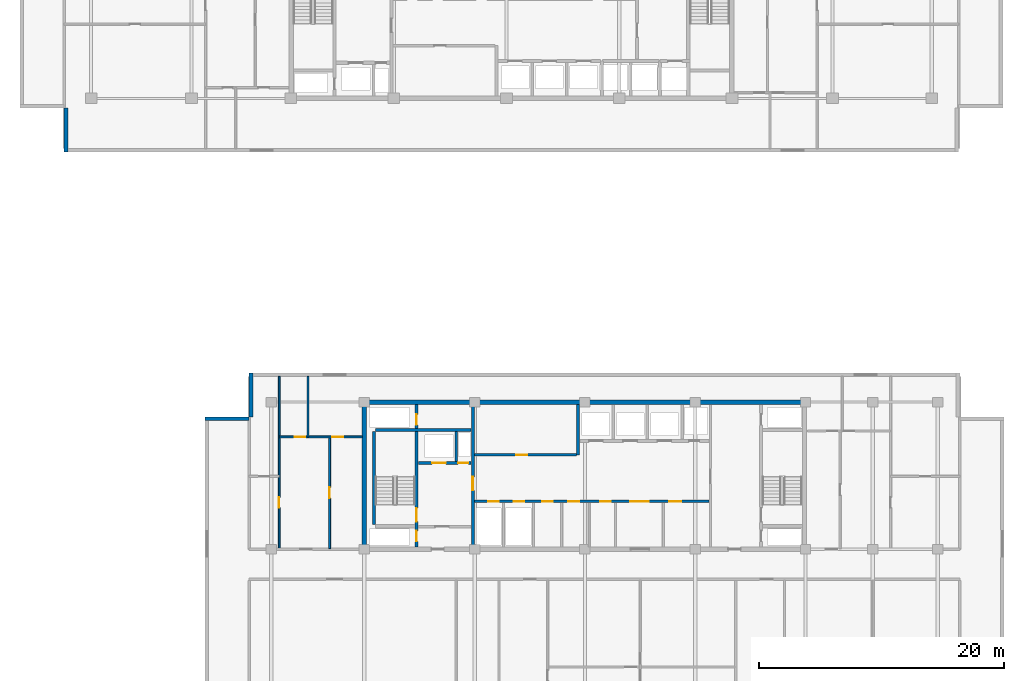
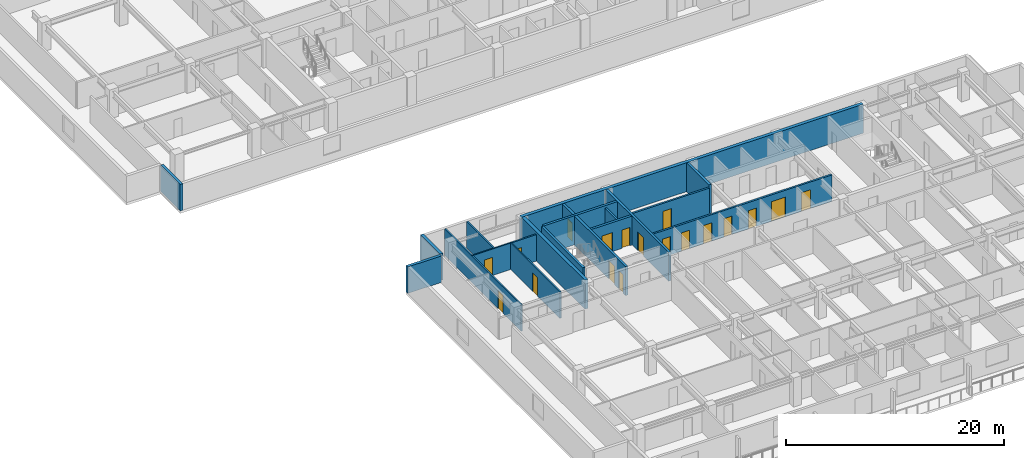
# One storey, part 6 of 21: 18 doors, 18 walls, 18 openings.
"""IFC4 building model written with IfcOpenShell, lengths in metres."""

from ifc_helpers import new_model, si_unit, direction, frame, frame_2d, origin, place, context, subcontext, project, spatial, rectangle, extrude, material, layer, layer_set, type_object, element, fill, save


model = new_model("IFC4")

# Units and contexts
model_context = context("Model", 3, precision=1e-05, world=origin(), true_north=direction((0.0, 1.0)))
body_context = subcontext(model_context, "Body", "Model", "MODEL_VIEW")
ifc_project = project(units=[si_unit("LENGTHUNIT", "METRE"), si_unit("AREAUNIT", "SQUARE_METRE"), si_unit("VOLUMEUNIT", "CUBIC_METRE"), si_unit("PLANEANGLEUNIT", "RADIAN"), si_unit("MASSUNIT", "GRAM", prefix="KILO")], contexts=[model_context])

# Site, building, storey
site_placement = place(None, origin())
site = spatial("IfcSite", under=ifc_project, at=site_placement, CompositionType="ELEMENT")
building_placement = place(site_placement, origin())
building = spatial("IfcBuilding", under=site, at=building_placement, Name="Korimba Cascade Residences", CompositionType="ELEMENT")
storey_placement = place(building_placement, frame((0.0, 0.0, 116.550048828125)))
storey = spatial("IfcBuildingStorey", under=building, at=storey_placement, Name="L33", CompositionType="ELEMENT", Elevation=116.550048828125)

# Walls
ifc_material_1 = material(Name="Precast concrete C40/50", Category="concrete")
ifc_layer_1 = layer(ifc_material_1, 0.300048828125)
ifc_layer_set_1 = layer_set([ifc_layer_1], Name="Precast concrete C40/50")
wall_type_1 = type_object("IfcWallType", Name="EW-STONE-300", PredefinedType="STANDARD", material=ifc_layer_set_1)
wall_1_placement = place(storey_placement, frame((57.75, 54.39990234375, 0.0), z_axis=(0.0, 0.0, 1.0), x_axis=(0.0, -1.0, 0.0)))
element("IfcWall", 1, at=wall_1_placement, inside=storey, type_object=wall_type_1, Name="L33 T1 Perimeter Stone Wall E11", PredefinedType="STANDARD", context=body_context, shape_type="SweptSolid", body=[
    extrude(rectangle(XDim=3.599853515625, YDim=0.300048828125, at=frame_2d((1.7998046875, 0.0))), origin(), (0.0, 0.0, 1.0), 2.969970703125),
])
wall_2_placement = place(storey_placement, frame((72.85009765625, 32.800048828125, 0.0), z_axis=(0.0, 0.0, 1.0), x_axis=(0.0, -1.0, 0.0)))
element("IfcWall", 2, at=wall_2_placement, inside=storey, type_object=wall_type_1, Name="L33 T2 Perimeter Stone Wall E07", PredefinedType="STANDARD", context=body_context, shape_type="SweptSolid", body=[
    extrude(rectangle(XDim=3.60009765625, YDim=0.300048828125, at=frame_2d((1.800048828125, 0.0))), origin(), (0.0, 0.0, 1.0), 2.969970703125),
])
wall_3_placement = place(storey_placement, frame((72.699951171875, 29.050048828125, 0.0), z_axis=(0.0, 0.0, 1.0), x_axis=(-1.0, 0.0, 0.0)))
element("IfcWall", 3, at=wall_3_placement, inside=storey, type_object=wall_type_1, Name="L33 T2 Perimeter Stone Wall E08", PredefinedType="STANDARD", context=body_context, shape_type="SweptSolid", body=[
    extrude(rectangle(XDim=3.599853515625, YDim=0.300048828125, at=frame_2d((1.7998046875, 0.0))), origin(), (0.0, 0.0, 1.0), 2.969970703125),
])
ifc_material_2 = material(Name="Concrete C65/80", Category="concrete")
ifc_layer_2 = layer(ifc_material_2, 0.35009765625)
ifc_layer_set_2 = layer_set([ifc_layer_2], Name="Concrete C65/80")
wall_type_2 = type_object("IfcWallType", Name="WAL-CORE-350", PredefinedType="SHEAR", material=ifc_layer_set_2)
wall_4_placement = place(storey_placement, frame((81.925048828125, 30.39990234375, 0.0), z_axis=(0.0, 0.0, 1.0), x_axis=(1.0, 0.0, 0.0)))
element("IfcWall", 4, at=wall_4_placement, inside=storey, type_object=wall_type_2, Name="L33 Core Shear Wall CW-L33-T2-N", PredefinedType="SHEAR", context=body_context, shape_type="SweptSolid", body=[
    extrude(rectangle(XDim=36.264892578125, YDim=0.35009765625, at=frame_2d((18.13232421875, 0.0))), origin(), (0.0, 0.0, 1.0), 3.25),
])
wall_5_placement = place(storey_placement, frame((82.10009765625, 18.574951171875, 0.0), z_axis=(0.0, 0.0, 1.0), x_axis=(0.0, 1.0, 0.0)))
element("IfcWall", 5, at=wall_5_placement, inside=storey, type_object=wall_type_2, Name="L33 Core Shear Wall CW-L33-T2-W", PredefinedType="SHEAR", context=body_context, shape_type="SweptSolid", body=[
    extrude(rectangle(XDim=11.650146484375, YDim=0.35009765625, at=frame_2d((5.8251953125, 0.0))), origin(), (0.0, 0.0, 1.0), 3.25),
])

# Wall, opening, door
ifc_material_3 = material(Name="Insulated Acoustic Stud Partition", Category="gypsum")
ifc_layer_3 = layer(ifc_material_3, 0.14990234375)
ifc_layer_set_3 = layer_set([ifc_layer_3], Name="Insulated Acoustic Stud Partition")
wall_type_3 = type_object("IfcWallType", Name="WAL-PART-150", PredefinedType="PARTITIONING", material=ifc_layer_set_3)
wall_6_placement = place(storey_placement, frame((75.14990234375, 18.449951171875, 0.0), z_axis=(0.0, 0.0, 1.0), x_axis=(0.0, 1.0, 0.0)))
wall_6 = element("IfcWall", 6, at=wall_6_placement, inside=storey, type_object=wall_type_3, Name="L33 Partition Wall WAL-L33-T2-FW-STV", PredefinedType="PARTITIONING", context=body_context, shape_type="SweptSolid", body=[
    extrude(rectangle(XDim=14.050048828125, YDim=0.14990234375, at=frame_2d((7.02490234375, 0.0))), origin(), (0.0, 0.0, 1.0), 2.969970703125),
])
opening_1_placement = place(wall_6_placement, frame((3.320068359375, 0.0, 0.0)))
opening_1 = element("IfcOpeningElement", 7, at=opening_1_placement, cuts=wall_6, Name="Opening D-IN2", PredefinedType="OPENING", context=body_context, shape_type="SweptSolid", body=[
    extrude(rectangle(XDim=0.8798828125, YDim=2.06005859375, at=frame_2d((0.43994140625, 1.030029296875))), frame((0.0, 0.0849609375, 0.0), z_axis=(0.0, -1.0, 0.0), x_axis=(1.0, 0.0, 0.0)), (0.0, 0.0, 1.0), 0.169921875),
])
ifc_material_4 = material(Name="Acoustic Timber Bedroom Door", Category="wood")
door_type_1 = type_object("IfcDoorType", Name="DR-INT-880", OperationType="NOTDEFINED", PredefinedType="DOOR", material=ifc_material_4)
door_1_placement = place(opening_1_placement, origin())
door_1 = element("IfcDoor", 8, at=door_1_placement, inside=storey, type_object=door_type_1, Name="L33-T2-FW Study Door", OperationType="SINGLE_SWING_LEFT", OverallHeight=2.06005859375, OverallWidth=0.8798828125, PredefinedType="DOOR", context=body_context, shape_type="SweptSolid", body=[
    extrude(rectangle(XDim=0.8798828125, YDim=2.06005859375, at=frame_2d((0.43994140625, 1.030029296875))), frame((0.0, 0.02490234375, 0.0), z_axis=(0.0, -1.0, 0.0), x_axis=(1.0, 0.0, 0.0)), (0.0, 0.0, 1.0), 0.050048828125),
])
fill(opening_1, door_1)

wall_7_placement = place(storey_placement, frame((79.27001953125, 18.449951171875, 0.0), z_axis=(0.0, 0.0, 1.0), x_axis=(0.0, 1.0, 0.0)))
wall_7 = element("IfcWall", 9, at=wall_7_placement, inside=storey, type_object=wall_type_3, Name="L33 Partition Wall WAL-L33-T2-FW-VS", PredefinedType="PARTITIONING", context=body_context, shape_type="SweptSolid", body=[
    extrude(rectangle(XDim=9.1201171875, YDim=0.14990234375, at=frame_2d((4.56005859375, 0.0))), origin(), (0.0, 0.0, 1.0), 2.969970703125),
])
opening_2_placement = place(wall_7_placement, frame((4.10009765625, 0.0, 0.0)))
opening_2 = element("IfcOpeningElement", 10, at=opening_2_placement, cuts=wall_7, Name="Opening D-IN1", PredefinedType="OPENING", context=body_context, shape_type="SweptSolid", body=[
    extrude(rectangle(XDim=0.919921875, YDim=2.080078125, at=frame_2d((0.4599609375, 1.0400390625))), frame((0.0, 0.0849609375, 0.0), z_axis=(0.0, -1.0, 0.0), x_axis=(1.0, 0.0, 0.0)), (0.0, 0.0, 1.0), 0.169921875),
])
ifc_material_5 = material(Name="Acoustic Timber Living Door", Category="wood")
door_type_2 = type_object("IfcDoorType", Name="DR-INT-920", OperationType="NOTDEFINED", PredefinedType="DOOR", material=ifc_material_5)
door_2_placement = place(opening_2_placement, origin())
door_2 = element("IfcDoor", 11, at=door_2_placement, inside=storey, type_object=door_type_2, Name="L33-T2-FW Living Door", OperationType="SINGLE_SWING_RIGHT", OverallHeight=2.080078125, OverallWidth=0.919921875, PredefinedType="DOOR", context=body_context, shape_type="SweptSolid", body=[
    extrude(rectangle(XDim=0.919921875, YDim=2.080078125, at=frame_2d((0.4599609375, 1.0400390625))), frame((0.0, 0.02490234375, 0.0), z_axis=(0.0, -1.0, 0.0), x_axis=(1.0, 0.0, 0.0)), (0.0, 0.0, 1.0), 0.050048828125),
])
fill(opening_2, door_2)

# Wall
wall_8_placement = place(storey_placement, frame((77.5, 27.570068359375, 0.0), z_axis=(0.0, 0.0, 1.0), x_axis=(0.0, 1.0, 0.0)))
element("IfcWall", 12, at=wall_8_placement, inside=storey, type_object=wall_type_3, Name="L33 Partition Wall WAL-L33-T2-FW-VN", PredefinedType="PARTITIONING", context=body_context, shape_type="SweptSolid", body=[
    extrude(rectangle(XDim=4.929931640625, YDim=0.14990234375, at=frame_2d((2.46484375, 0.0))), origin(), (0.0, 0.0, 1.0), 2.969970703125),
])

# Wall, openings, doors
wall_9_placement = place(storey_placement, frame((75.169921875, 27.570068359375, 0.0), z_axis=(0.0, 0.0, 1.0), x_axis=(1.0, 0.0, 0.0)))
wall_9 = element("IfcWall", 13, at=wall_9_placement, inside=storey, type_object=wall_type_3, Name="L33 Partition Wall WAL-L33-T2-FW-H", PredefinedType="PARTITIONING", context=body_context, shape_type="SweptSolid", body=[
    extrude(rectangle(XDim=6.760009765625, YDim=0.14990234375, at=frame_2d((3.3798828125, 0.0))), origin(), (0.0, 0.0, 1.0), 2.969970703125),
])
opening_3_placement = place(wall_9_placement, frame((1.266357421875, 0.0, 0.0)))
opening_3 = element("IfcOpeningElement", 14, at=opening_3_placement, cuts=wall_9, Name="Opening D-BT1", PredefinedType="OPENING", context=body_context, shape_type="SweptSolid", body=[
    extrude(rectangle(XDim=0.840087890625, YDim=2.0400390625, at=frame_2d((0.419921875, 1.02001953125))), frame((0.0, 0.0849609375, 0.0), z_axis=(0.0, -1.0, 0.0), x_axis=(1.0, 0.0, 0.0)), (0.0, 0.0, 1.0), 0.169921875),
])
opening_4_placement = place(wall_9_placement, frame((4.320068359375, 0.0, 0.0)))
opening_4 = element("IfcOpeningElement", 15, at=opening_4_placement, cuts=wall_9, Name="Opening D-IN2", PredefinedType="OPENING", context=body_context, shape_type="SweptSolid", body=[
    extrude(rectangle(XDim=0.8798828125, YDim=2.06005859375, at=frame_2d((0.43994140625, 1.030029296875))), frame((0.0, 0.0849609375, 0.0), z_axis=(0.0, -1.0, 0.0), x_axis=(1.0, 0.0, 0.0)), (0.0, 0.0, 1.0), 0.169921875),
])
ifc_material_6 = material(Name="Moisture-Resistant Bathroom Timber Door", Category="wood")
door_type_3 = type_object("IfcDoorType", Name="DR-INT-850", OperationType="NOTDEFINED", PredefinedType="DOOR", material=ifc_material_6)
door_3_placement = place(opening_3_placement, origin())
door_3 = element("IfcDoor", 16, at=door_3_placement, inside=storey, type_object=door_type_3, Name="L33-T2-FW Bathroom Door", OperationType="SINGLE_SWING_LEFT", OverallHeight=2.0400390625, OverallWidth=0.840087890625, PredefinedType="DOOR", context=body_context, shape_type="SweptSolid", body=[
    extrude(rectangle(XDim=0.840087890625, YDim=2.0400390625, at=frame_2d((0.419921875, 1.02001953125))), frame((0.0, 0.02490234375, 0.0), z_axis=(0.0, -1.0, 0.0), x_axis=(1.0, 0.0, 0.0)), (0.0, 0.0, 1.0), 0.050048828125),
])
fill(opening_3, door_3)
door_4_placement = place(opening_4_placement, origin())
door_4 = element("IfcDoor", 17, at=door_4_placement, inside=storey, type_object=door_type_1, Name="L33-T2-FW Bedroom Door", OperationType="SINGLE_SWING_RIGHT", OverallHeight=2.06005859375, OverallWidth=0.8798828125, PredefinedType="DOOR", context=body_context, shape_type="SweptSolid", body=[
    extrude(rectangle(XDim=0.8798828125, YDim=2.06005859375, at=frame_2d((0.43994140625, 1.030029296875))), frame((0.0, 0.02490234375, 0.0), z_axis=(0.0, -1.0, 0.0), x_axis=(1.0, 0.0, 0.0)), (0.0, 0.0, 1.0), 0.050048828125),
])
fill(opening_4, door_4)

# Wall
ifc_material_7 = material(Name="Concrete C40/50", Category="concrete")
ifc_layer_4 = layer(ifc_material_7, 0.199951171875)
ifc_layer_set_4 = layer_set([ifc_layer_4], Name="Concrete C40/50")
wall_type_4 = type_object("IfcWallType", Name="WAL-PART-200", PredefinedType="PARTITIONING", material=ifc_layer_set_4)
wall_10_placement = place(storey_placement, frame((89.60009765625, 25.580078125, 0.0), z_axis=(0.0, 0.0, 1.0), x_axis=(0.0, 1.0, 0.0)))
element("IfcWall", 18, at=wall_10_placement, inside=storey, type_object=wall_type_4, Name="L33 Partition Wall CW-L33-T2-FFLDIV", PredefinedType="PARTITIONING", context=body_context, shape_type="SweptSolid", body=[
    extrude(rectangle(XDim=2.419921875, YDim=0.199951171875, at=frame_2d((1.2099609375, 0.0))), origin(), (0.0, 0.0, 1.0), 2.969970703125),
])

# Wall, opening, door
wall_11_placement = place(storey_placement, frame((91.080078125, 26.10009765625, 0.0), z_axis=(0.0, 0.0, 1.0), x_axis=(1.0, 0.0, 0.0)))
wall_11 = element("IfcWall", 19, at=wall_11_placement, inside=storey, type_object=wall_type_4, Name="L33 Partition Wall CW-L33-T2-B1RS", PredefinedType="PARTITIONING", context=body_context, shape_type="SweptSolid", body=[
    extrude(rectangle(XDim=8.33984375, YDim=0.199951171875, at=frame_2d((4.169921875, 0.0))), origin(), (0.0, 0.0, 1.0), 2.969970703125),
])
opening_5_placement = place(wall_11_placement, frame((3.39990234375, 0.0, 0.0)))
opening_5 = element("IfcOpeningElement", 20, at=opening_5_placement, cuts=wall_11, Name="Opening D-ST1", PredefinedType="OPENING", context=body_context, shape_type="SweptSolid", body=[
    extrude(rectangle(XDim=0.919921875, YDim=2.080078125, at=frame_2d((0.4599609375, 1.0400390625))), frame((0.0, 0.10986328125, 0.0), z_axis=(0.0, -1.0, 0.0), x_axis=(1.0, 0.0, 0.0)), (0.0, 0.0, 1.0), 0.219970703125),
])
ifc_material_8 = material(Name="Fire-Rated Core Store Door", Category="wood")
door_type_4 = type_object("IfcDoorType", Name="DR-FD60-920", OperationType="NOTDEFINED", PredefinedType="DOOR", material=ifc_material_8)
door_5_placement = place(opening_5_placement, origin())
door_5 = element("IfcDoor", 21, at=door_5_placement, inside=storey, type_object=door_type_4, Name="L33 T2 Resident Storage Door", OperationType="SINGLE_SWING_RIGHT", OverallHeight=2.080078125, OverallWidth=0.919921875, PredefinedType="DOOR", context=body_context, shape_type="SweptSolid", body=[
    extrude(rectangle(XDim=0.919921875, YDim=2.080078125, at=frame_2d((0.4599609375, 1.0400390625))), frame((0.0, 0.02490234375, 0.0), z_axis=(0.0, -1.0, 0.0), x_axis=(1.0, 0.0, 0.0)), (0.0, 0.0, 1.0), 0.050048828125),
])
fill(opening_5, door_5)

# Wall, openings, doors
wall_12_placement = place(storey_placement, frame((91.080078125, 22.300048828125, 0.0), z_axis=(0.0, 0.0, 1.0), x_axis=(1.0, 0.0, 0.0)))
wall_12 = element("IfcWall", 22, at=wall_12_placement, inside=storey, type_object=wall_type_4, Name="L33 Partition Wall CW-L33-T2-SRVROW", PredefinedType="PARTITIONING", context=body_context, shape_type="SweptSolid", body=[
    extrude(rectangle(XDim=19.139892578125, YDim=0.199951171875, at=frame_2d((9.56982421875, 0.0))), origin(), (0.0, 0.0, 1.0), 2.969970703125),
])
opening_6_placement = place(wall_12_placement, frame((1.14990234375, 0.0, 0.0)))
opening_6 = element("IfcOpeningElement", 23, at=opening_6_placement, cuts=wall_12, Name="Opening D-RS1", PredefinedType="OPENING", context=body_context, shape_type="SweptSolid", body=[
    extrude(rectangle(XDim=0.85009765625, YDim=2.050048828125, at=frame_2d((0.425048828125, 1.02490234375))), frame((0.0, 0.10986328125, 0.0), z_axis=(0.0, -1.0, 0.0), x_axis=(1.0, 0.0, 0.0)), (0.0, 0.0, 1.0), 0.219970703125),
])
opening_7_placement = place(wall_12_placement, frame((3.199951171875, 0.0, 0.0)))
opening_7 = element("IfcOpeningElement", 24, at=opening_7_placement, cuts=wall_12, Name="Opening D-RS1", PredefinedType="OPENING", context=body_context, shape_type="SweptSolid", body=[
    extrude(rectangle(XDim=0.85009765625, YDim=2.050048828125, at=frame_2d((0.425048828125, 1.02490234375))), frame((0.0, 0.10986328125, 0.0), z_axis=(0.0, -1.0, 0.0), x_axis=(1.0, 0.0, 0.0)), (0.0, 0.0, 1.0), 0.219970703125),
])
opening_8_placement = place(wall_12_placement, frame((12.719970703125, 0.0, 0.0)))
opening_8 = element("IfcOpeningElement", 25, at=opening_8_placement, cuts=wall_12, Name="Opening D-FD8", PredefinedType="OPENING", context=body_context, shape_type="SweptSolid", body=[
    extrude(rectangle(XDim=1.5, YDim=2.199951171875, at=frame_2d((0.75, 1.10009765625))), frame((0.0, 0.10986328125, 0.0), z_axis=(0.0, -1.0, 0.0), x_axis=(1.0, 0.0, 0.0)), (0.0, 0.0, 1.0), 0.219970703125),
])
opening_9_placement = place(wall_12_placement, frame((5.52001953125, 0.0, 0.0)))
opening_9 = element("IfcOpeningElement", 26, at=opening_9_placement, cuts=wall_12, Name="Opening D-IN2", PredefinedType="OPENING", context=body_context, shape_type="SweptSolid", body=[
    extrude(rectangle(XDim=0.8798828125, YDim=2.06005859375, at=frame_2d((0.43994140625, 1.030029296875))), frame((0.0, 0.10986328125, 0.0), z_axis=(0.0, -1.0, 0.0), x_axis=(1.0, 0.0, 0.0)), (0.0, 0.0, 1.0), 0.219970703125),
])
opening_10_placement = place(wall_12_placement, frame((7.669921875, 0.0, 0.0)))
opening_10 = element("IfcOpeningElement", 27, at=opening_10_placement, cuts=wall_12, Name="Opening D-IN2", PredefinedType="OPENING", context=body_context, shape_type="SweptSolid", body=[
    extrude(rectangle(XDim=0.8798828125, YDim=2.06005859375, at=frame_2d((0.43994140625, 1.030029296875))), frame((0.0, 0.10986328125, 0.0), z_axis=(0.0, -1.0, 0.0), x_axis=(1.0, 0.0, 0.0)), (0.0, 0.0, 1.0), 0.219970703125),
])
opening_11_placement = place(wall_12_placement, frame((10.27001953125, 0.0, 0.0)))
opening_11 = element("IfcOpeningElement", 28, at=opening_11_placement, cuts=wall_12, Name="Opening D-RS1", PredefinedType="OPENING", context=body_context, shape_type="SweptSolid", body=[
    extrude(rectangle(XDim=0.85009765625, YDim=2.050048828125, at=frame_2d((0.425048828125, 1.02490234375))), frame((0.0, 0.10986328125, 0.0), z_axis=(0.0, -1.0, 0.0), x_axis=(1.0, 0.0, 0.0)), (0.0, 0.0, 1.0), 0.219970703125),
])
opening_12_placement = place(wall_12_placement, frame((15.919921875, 0.0, 0.0)))
opening_12 = element("IfcOpeningElement", 29, at=opening_12_placement, cuts=wall_12, Name="Opening D-AC1", PredefinedType="OPENING", context=body_context, shape_type="SweptSolid", body=[
    extrude(rectangle(XDim=0.9599609375, YDim=2.10009765625, at=frame_2d((0.47998046875, 1.050048828125))), frame((0.0, 0.10986328125, 0.0), z_axis=(0.0, -1.0, 0.0), x_axis=(1.0, 0.0, 0.0)), (0.0, 0.0, 1.0), 0.219970703125),
])
ifc_material_9 = material(Name="Accessible Acoustic Timber WC Door", Category="wood")
door_type_5 = type_object("IfcDoorType", Name="DR-ACC-950", OperationType="NOTDEFINED", PredefinedType="DOOR", material=ifc_material_9)
door_6_placement = place(opening_12_placement, origin())
door_6 = element("IfcDoor", 30, at=door_6_placement, inside=storey, type_object=door_type_5, Name="L33 T2 Accessible Staff WC Door", OperationType="SINGLE_SWING_LEFT", OverallHeight=2.10009765625, OverallWidth=0.9599609375, PredefinedType="DOOR", context=body_context, shape_type="SweptSolid", body=[
    extrude(rectangle(XDim=0.9599609375, YDim=2.10009765625, at=frame_2d((0.47998046875, 1.050048828125))), frame((0.0, 0.02490234375, 0.0), z_axis=(0.0, -1.0, 0.0), x_axis=(1.0, 0.0, 0.0)), (0.0, 0.0, 1.0), 0.050048828125),
])
fill(opening_12, door_6)
ifc_material_10 = material(Name="Fire-Rated Steel Riser Access Door", Category="steel")
door_type_6 = type_object("IfcDoorType", Name="DR-FD60-850", OperationType="NOTDEFINED", PredefinedType="DOOR", material=ifc_material_10)
door_7_placement = place(opening_6_placement, origin())
door_7 = element("IfcDoor", 31, at=door_7_placement, inside=storey, type_object=door_type_6, Name="L33 T2 Electrical Riser Door", OperationType="SINGLE_SWING_RIGHT", OverallHeight=2.050048828125, OverallWidth=0.85009765625, PredefinedType="DOOR", context=body_context, shape_type="SweptSolid", body=[
    extrude(rectangle(XDim=0.85009765625, YDim=2.050048828125, at=frame_2d((0.425048828125, 1.02490234375))), frame((0.0, 0.02490234375, 0.0), z_axis=(0.0, -1.0, 0.0), x_axis=(1.0, 0.0, 0.0)), (0.0, 0.0, 1.0), 0.050048828125),
])
fill(opening_6, door_7)
door_8_placement = place(opening_7_placement, origin())
door_8 = element("IfcDoor", 32, at=door_8_placement, inside=storey, type_object=door_type_6, Name="L33 T2 Plumbing Riser Door", OperationType="SINGLE_SWING_LEFT", OverallHeight=2.050048828125, OverallWidth=0.85009765625, PredefinedType="DOOR", context=body_context, shape_type="SweptSolid", body=[
    extrude(rectangle(XDim=0.85009765625, YDim=2.050048828125, at=frame_2d((0.425048828125, 1.02490234375))), frame((0.0, 0.02490234375, 0.0), z_axis=(0.0, -1.0, 0.0), x_axis=(1.0, 0.0, 0.0)), (0.0, 0.0, 1.0), 0.050048828125),
])
fill(opening_7, door_8)
door_9_placement = place(opening_11_placement, origin())
door_9 = element("IfcDoor", 33, at=door_9_placement, inside=storey, type_object=door_type_6, Name="L33 T2 IT Room Door", OperationType="SINGLE_SWING_RIGHT", OverallHeight=2.050048828125, OverallWidth=0.85009765625, PredefinedType="DOOR", context=body_context, shape_type="SweptSolid", body=[
    extrude(rectangle(XDim=0.85009765625, YDim=2.050048828125, at=frame_2d((0.425048828125, 1.02490234375))), frame((0.0, 0.02490234375, 0.0), z_axis=(0.0, -1.0, 0.0), x_axis=(1.0, 0.0, 0.0)), (0.0, 0.0, 1.0), 0.050048828125),
])
fill(opening_11, door_9)
ifc_material_11 = material(Name="Fire-Rated Glazed Lift Lobby Double Door", Category="glass")
door_type_7 = type_object("IfcDoorType", Name="DR-FD90-1500", OperationType="NOTDEFINED", PredefinedType="DOOR", material=ifc_material_11)
door_10_placement = place(opening_8_placement, origin())
door_10 = element("IfcDoor", 34, at=door_10_placement, inside=storey, type_object=door_type_7, Name="L33 T2 Lift Lobby Foyer Door", OperationType="DOUBLE_DOOR_SINGLE_SWING", OverallHeight=2.199951171875, OverallWidth=1.5, PredefinedType="DOOR", context=body_context, shape_type="SweptSolid", body=[
    extrude(rectangle(XDim=1.5, YDim=2.199951171875, at=frame_2d((0.75, 1.10009765625))), frame((0.0, 0.02490234375, 0.0), z_axis=(0.0, -1.0, 0.0), x_axis=(1.0, 0.0, 0.0)), (0.0, 0.0, 1.0), 0.050048828125),
])
fill(opening_8, door_10)
door_11_placement = place(opening_9_placement, origin())
door_11 = element("IfcDoor", 35, at=door_11_placement, inside=storey, type_object=door_type_1, Name="L33 T2 Cleaners Door", OperationType="SINGLE_SWING_RIGHT", OverallHeight=2.06005859375, OverallWidth=0.8798828125, PredefinedType="DOOR", context=body_context, shape_type="SweptSolid", body=[
    extrude(rectangle(XDim=0.8798828125, YDim=2.06005859375, at=frame_2d((0.43994140625, 1.030029296875))), frame((0.0, 0.02490234375, 0.0), z_axis=(0.0, -1.0, 0.0), x_axis=(1.0, 0.0, 0.0)), (0.0, 0.0, 1.0), 0.050048828125),
])
fill(opening_9, door_11)
door_12_placement = place(opening_10_placement, origin())
door_12 = element("IfcDoor", 36, at=door_12_placement, inside=storey, type_object=door_type_1, Name="L33 T2 Pantry Door", OperationType="SINGLE_SWING_LEFT", OverallHeight=2.06005859375, OverallWidth=0.8798828125, PredefinedType="DOOR", context=body_context, shape_type="SweptSolid", body=[
    extrude(rectangle(XDim=0.8798828125, YDim=2.06005859375, at=frame_2d((0.43994140625, 1.030029296875))), frame((0.0, 0.02490234375, 0.0), z_axis=(0.0, -1.0, 0.0), x_axis=(1.0, 0.0, 0.0)), (0.0, 0.0, 1.0), 0.050048828125),
])
fill(opening_10, door_12)

# Wall
ifc_material_12 = material(Name="Concrete C50/60", Category="concrete")
ifc_layer_5 = layer(ifc_material_12, 0.25)
ifc_layer_set_5 = layer_set([ifc_layer_5], Name="Concrete C50/60")
wall_type_5 = type_object("IfcWallType", Name="WAL-SHAFT-250", PredefinedType="SHEAR", material=ifc_layer_set_5)
wall_13_placement = place(storey_placement, frame((82.875, 20.39990234375, 0.0), z_axis=(0.0, 0.0, 1.0), x_axis=(0.0, 1.0, 0.0)))
element("IfcWall", 37, at=wall_13_placement, inside=storey, type_object=wall_type_5, Name="L33 Core Shear Wall CW-L33-T2-STE1W", PredefinedType="SHEAR", context=body_context, shape_type="SweptSolid", body=[
    extrude(rectangle(XDim=7.60009765625, YDim=0.25, at=frame_2d((3.800048828125, 0.0))), origin(), (0.0, 0.0, 1.0), 3.25),
])

# Wall, openings, doors
wall_14_placement = place(storey_placement, frame((86.364990234375, 18.60009765625, 0.0), z_axis=(0.0, 0.0, 1.0), x_axis=(0.0, 1.0, 0.0)))
wall_14 = element("IfcWall", 38, at=wall_14_placement, inside=storey, type_object=wall_type_5, Name="L33 Core Shear Wall CW-L33-T2-STE1E", PredefinedType="SHEAR", context=body_context, shape_type="SweptSolid", body=[
    extrude(rectangle(XDim=11.599853515625, YDim=0.25, at=frame_2d((5.7998046875, 0.0))), origin(), (0.0, 0.0, 1.0), 3.25),
])
opening_13_placement = place(wall_14_placement, frame((0.449951171875, 0.0, 0.0)))
opening_13 = element("IfcOpeningElement", 39, at=opening_13_placement, cuts=wall_14, Name="Opening D-RS1", PredefinedType="OPENING", context=body_context, shape_type="SweptSolid", body=[
    extrude(rectangle(XDim=0.85009765625, YDim=2.050048828125, at=frame_2d((0.425048828125, 1.02490234375))), frame((0.0, 0.135009765625, 0.0), z_axis=(0.0, -1.0, 0.0), x_axis=(1.0, 0.0, 0.0)), (0.0, 0.0, 1.0), 0.27001953125),
])
opening_14_placement = place(wall_14_placement, frame((2.050048828125, 0.0, 0.0)))
opening_14 = element("IfcOpeningElement", 40, at=opening_14_placement, cuts=wall_14, Name="Opening D-FD1", PredefinedType="OPENING", context=body_context, shape_type="SweptSolid", body=[
    extrude(rectangle(XDim=1.10009765625, YDim=2.10009765625, at=frame_2d((0.550048828125, 1.050048828125))), frame((0.0, 0.135009765625, 0.0), z_axis=(0.0, -1.0, 0.0), x_axis=(1.0, 0.0, 0.0)), (0.0, 0.0, 1.0), 0.27001953125),
])
opening_15_placement = place(wall_14_placement, frame((9.949951171875, 0.0, 0.0)))
opening_15 = element("IfcOpeningElement", 41, at=opening_15_placement, cuts=wall_14, Name="Opening D-RS1", PredefinedType="OPENING", context=body_context, shape_type="SweptSolid", body=[
    extrude(rectangle(XDim=0.85009765625, YDim=2.050048828125, at=frame_2d((0.425048828125, 1.02490234375))), frame((0.0, 0.135009765625, 0.0), z_axis=(0.0, -1.0, 0.0), x_axis=(1.0, 0.0, 0.0)), (0.0, 0.0, 1.0), 0.27001953125),
])
ifc_material_13 = material(Name="Fire-Rated Steel Core Door", Category="steel")
door_type_8 = type_object("IfcDoorType", Name="DR-FD120-1100", OperationType="NOTDEFINED", PredefinedType="DOOR", material=ifc_material_13)
door_13_placement = place(opening_14_placement, origin())
door_13 = element("IfcDoor", 42, at=door_13_placement, inside=storey, type_object=door_type_8, Name="L33 Fire Stair ST-E1 Door", OperationType="SINGLE_SWING_LEFT", OverallHeight=2.10009765625, OverallWidth=1.10009765625, PredefinedType="DOOR", context=body_context, shape_type="SweptSolid", body=[
    extrude(rectangle(XDim=1.10009765625, YDim=2.10009765625, at=frame_2d((0.550048828125, 1.050048828125))), frame((0.0, 0.02490234375, 0.0), z_axis=(0.0, -1.0, 0.0), x_axis=(1.0, 0.0, 0.0)), (0.0, 0.0, 1.0), 0.050048828125),
])
fill(opening_14, door_13)
door_14_placement = place(opening_13_placement, origin())
door_14 = element("IfcDoor", 43, at=door_14_placement, inside=storey, type_object=door_type_6, Name="L33 T2 Hydrant Riser Door", OperationType="SINGLE_SWING_RIGHT", OverallHeight=2.050048828125, OverallWidth=0.85009765625, PredefinedType="DOOR", context=body_context, shape_type="SweptSolid", body=[
    extrude(rectangle(XDim=0.85009765625, YDim=2.050048828125, at=frame_2d((0.425048828125, 1.02490234375))), frame((0.0, 0.02490234375, 0.0), z_axis=(0.0, -1.0, 0.0), x_axis=(1.0, 0.0, 0.0)), (0.0, 0.0, 1.0), 0.050048828125),
])
fill(opening_13, door_14)
door_15_placement = place(opening_15_placement, origin())
door_15 = element("IfcDoor", 44, at=door_15_placement, inside=storey, type_object=door_type_6, Name="L33 T2 Smoke Shaft Door", OperationType="SINGLE_SWING_RIGHT", OverallHeight=2.050048828125, OverallWidth=0.85009765625, PredefinedType="DOOR", context=body_context, shape_type="SweptSolid", body=[
    extrude(rectangle(XDim=0.85009765625, YDim=2.050048828125, at=frame_2d((0.425048828125, 1.02490234375))), frame((0.0, 0.02490234375, 0.0), z_axis=(0.0, -1.0, 0.0), x_axis=(1.0, 0.0, 0.0)), (0.0, 0.0, 1.0), 0.050048828125),
])
fill(opening_15, door_15)

# Wall
wall_15_placement = place(storey_placement, frame((83.0, 28.125, 0.0), z_axis=(0.0, 0.0, 1.0), x_axis=(1.0, 0.0, 0.0)))
element("IfcWall", 45, at=wall_15_placement, inside=storey, type_object=wall_type_5, Name="L33 Core Shear Wall CW-L33-T2-STE1N", PredefinedType="SHEAR", context=body_context, shape_type="SweptSolid", body=[
    extrude(rectangle(XDim=7.820068359375, YDim=0.25, at=frame_2d((3.91015625, 0.0))), origin(), (0.0, 0.0, 1.0), 3.25),
])

# Wall, openings, doors
wall_16_placement = place(storey_placement, frame((86.5, 25.449951171875, 0.0), z_axis=(0.0, 0.0, 1.0), x_axis=(1.0, 0.0, 0.0)))
wall_16 = element("IfcWall", 46, at=wall_16_placement, inside=storey, type_object=wall_type_5, Name="L33 Core Shear Wall CW-L33-T2-FFLN", PredefinedType="SHEAR", context=body_context, shape_type="SweptSolid", body=[
    extrude(rectangle(XDim=4.320068359375, YDim=0.25, at=frame_2d((2.16015625, 0.0))), origin(), (0.0, 0.0, 1.0), 3.25),
])
opening_16_placement = place(wall_16_placement, frame((1.139892578125, 0.0, 0.0)))
opening_16 = element("IfcOpeningElement", 47, at=opening_16_placement, cuts=wall_16, Name="Opening LD-01", PredefinedType="OPENING", context=body_context, shape_type="SweptSolid", body=[
    extrude(rectangle(XDim=1.1201171875, YDim=2.1201171875, at=frame_2d((0.56005859375, 1.06005859375))), frame((0.0, 0.135009765625, 0.0), z_axis=(0.0, -1.0, 0.0), x_axis=(1.0, 0.0, 0.0)), (0.0, 0.0, 1.0), 0.27001953125),
])
opening_17_placement = place(wall_16_placement, frame((3.25, 0.0, 0.0)))
opening_17 = element("IfcOpeningElement", 48, at=opening_17_placement, cuts=wall_16, Name="Opening D-RS1", PredefinedType="OPENING", context=body_context, shape_type="SweptSolid", body=[
    extrude(rectangle(XDim=0.85009765625, YDim=2.050048828125, at=frame_2d((0.425048828125, 1.02490234375))), frame((0.0, 0.135009765625, 0.0), z_axis=(0.0, -1.0, 0.0), x_axis=(1.0, 0.0, 0.0)), (0.0, 0.0, 1.0), 0.27001953125),
])
door_16_placement = place(opening_17_placement, origin())
door_16 = element("IfcDoor", 49, at=door_16_placement, inside=storey, type_object=door_type_6, Name="L33 T2 Pressurisation Riser Door", OperationType="SINGLE_SWING_LEFT", OverallHeight=2.050048828125, OverallWidth=0.85009765625, PredefinedType="DOOR", context=body_context, shape_type="SweptSolid", body=[
    extrude(rectangle(XDim=0.85009765625, YDim=2.050048828125, at=frame_2d((0.425048828125, 1.02490234375))), frame((0.0, 0.02490234375, 0.0), z_axis=(0.0, -1.0, 0.0), x_axis=(1.0, 0.0, 0.0)), (0.0, 0.0, 1.0), 0.050048828125),
])
fill(opening_17, door_16)
ifc_material_14 = material(Name="Stainless Steel Lift Landing Sliding Door", Category="steel")
door_type_9 = type_object("IfcDoorType", Name="DR-LIFT-1100", OperationType="NOTDEFINED", PredefinedType="DOOR", material=ifc_material_14)
door_17_placement = place(opening_16_placement, origin())
door_17 = element("IfcDoor", 50, at=door_17_placement, inside=storey, type_object=door_type_9, Name="L33 Firefighting Lift Landing Door FFL-E1", OperationType="SLIDING_TO_RIGHT", OverallHeight=2.1201171875, OverallWidth=1.1201171875, PredefinedType="DOOR", context=body_context, shape_type="SweptSolid", body=[
    extrude(rectangle(XDim=1.1201171875, YDim=2.1201171875, at=frame_2d((0.56005859375, 1.06005859375))), frame((0.0, 0.02490234375, 0.0), z_axis=(0.0, -1.0, 0.0), x_axis=(1.0, 0.0, 0.0)), (0.0, 0.0, 1.0), 0.050048828125),
])
fill(opening_16, door_17)

# Wall, opening, door
wall_17_placement = place(storey_placement, frame((90.949951171875, 18.60009765625, 0.0), z_axis=(0.0, 0.0, 1.0), x_axis=(0.0, 1.0, 0.0)))
wall_17 = element("IfcWall", 51, at=wall_17_placement, inside=storey, type_object=wall_type_5, Name="L33 Core Shear Wall CW-L33-T2-FFLE", PredefinedType="SHEAR", context=body_context, shape_type="SweptSolid", body=[
    extrude(rectangle(XDim=11.599853515625, YDim=0.25, at=frame_2d((5.7998046875, 0.0))), origin(), (0.0, 0.0, 1.0), 3.25),
])
opening_18_placement = place(wall_17_placement, frame((4.60009765625, 0.0, 0.0)))
opening_18 = element("IfcOpeningElement", 52, at=opening_18_placement, cuts=wall_17, Name="Opening D-FD1", PredefinedType="OPENING", context=body_context, shape_type="SweptSolid", body=[
    extrude(rectangle(XDim=1.10009765625, YDim=2.10009765625, at=frame_2d((0.550048828125, 1.050048828125))), frame((0.0, 0.135009765625, 0.0), z_axis=(0.0, -1.0, 0.0), x_axis=(1.0, 0.0, 0.0)), (0.0, 0.0, 1.0), 0.27001953125),
])
door_18_placement = place(opening_18_placement, origin())
door_18 = element("IfcDoor", 53, at=door_18_placement, inside=storey, type_object=door_type_8, Name="L33 T2 Firefighting Lobby to Lift Lobby Door", OperationType="SINGLE_SWING_LEFT", OverallHeight=2.10009765625, OverallWidth=1.10009765625, PredefinedType="DOOR", context=body_context, shape_type="SweptSolid", body=[
    extrude(rectangle(XDim=1.10009765625, YDim=2.10009765625, at=frame_2d((0.550048828125, 1.050048828125))), frame((0.0, 0.02490234375, 0.0), z_axis=(0.0, -1.0, 0.0), x_axis=(1.0, 0.0, 0.0)), (0.0, 0.0, 1.0), 0.050048828125),
])
fill(opening_18, door_18)

# Wall
wall_18_placement = place(storey_placement, frame((99.550048828125, 26.10009765625, 0.0), z_axis=(0.0, 0.0, 1.0), x_axis=(0.0, 1.0, 0.0)))
element("IfcWall", 54, at=wall_18_placement, inside=storey, type_object=wall_type_5, Name="L33 Core Shear Wall CW-L33-T2-B12DIV", PredefinedType="SHEAR", context=body_context, shape_type="SweptSolid", body=[
    extrude(rectangle(XDim=4.099853515625, YDim=0.25, at=frame_2d((2.0498046875, 0.0))), origin(), (0.0, 0.0, 1.0), 3.25),
])

save(model, "model.ifc")
